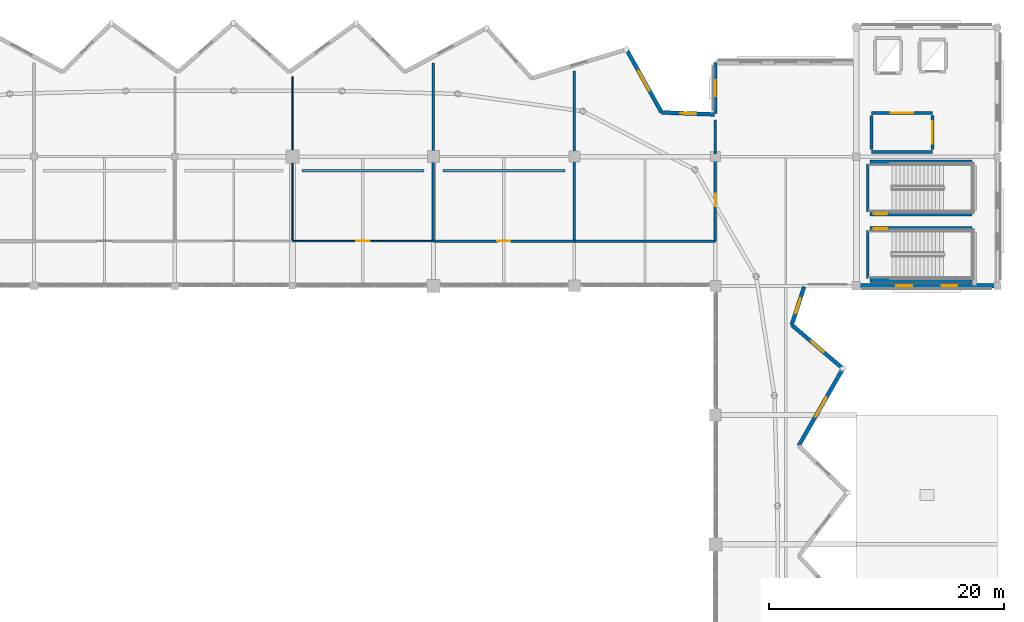
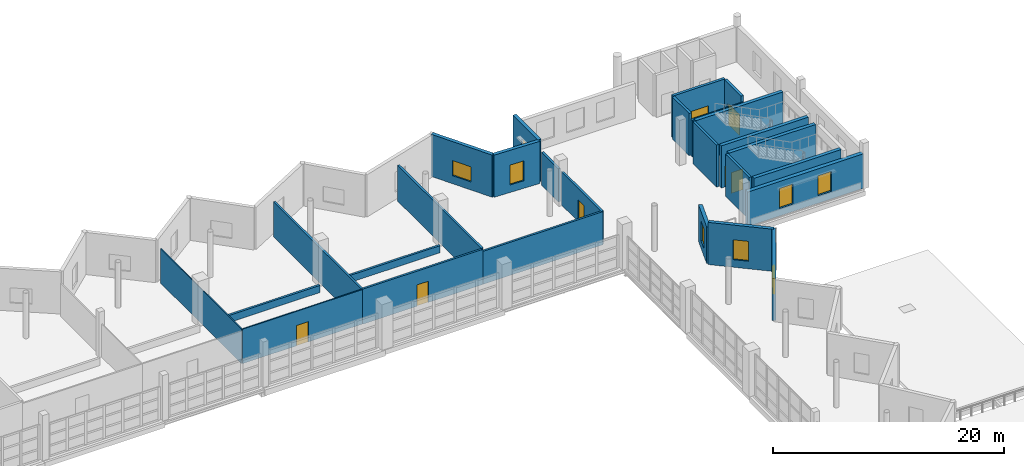
# One storey, part 42 of 53: 27 walls, 8 windows, 7 doors, 15 openings.
"""IFC4 building model written with IfcOpenShell, lengths in metres."""

from ifc_helpers import new_model, si_unit, direction, frame, frame_2d, origin, place, context, subcontext, project, spatial, rectangle, extrude, material, layer, layer_set, type_object, element, fill, save


model = new_model("IFC4")

# Units and contexts
model_context = context("Model", 3, precision=1e-05, world=origin(), true_north=direction((0.0, 1.0)))
body_context = subcontext(model_context, "Body", "Model", "MODEL_VIEW")
ifc_project = project(units=[si_unit("LENGTHUNIT", "METRE"), si_unit("AREAUNIT", "SQUARE_METRE"), si_unit("VOLUMEUNIT", "CUBIC_METRE"), si_unit("PLANEANGLEUNIT", "RADIAN"), si_unit("MASSUNIT", "GRAM", prefix="KILO")], contexts=[model_context])

# Site, building, storey
site_placement = place(None, origin())
site = spatial("IfcSite", under=ifc_project, at=site_placement, CompositionType="ELEMENT")
building_placement = place(site_placement, origin())
building = spatial("IfcBuilding", under=site, at=building_placement, Name="Luwafu Chhajja Arena", CompositionType="ELEMENT")
storey_placement = place(building_placement, frame((0.0, 0.0, 19.5)))
storey = spatial("IfcBuildingStorey", under=building, at=storey_placement, Name="L04", CompositionType="ELEMENT", Elevation=19.5)

# Wall, opening, door
ifc_material_1 = material(Name="Acoustic gypsum and mineral wool partition")
ifc_layer_1 = layer(ifc_material_1, 0.199951171875, Name="Acoustic gypsum and mineral wool partition")
ifc_layer_set_1 = layer_set([ifc_layer_1], Name="Acoustic gypsum and mineral wool partition")
wall_type_1 = type_object("IfcWallType", Name="Acoustic Broadcast Studio Partition 200", PredefinedType="PARTITIONING", material=ifc_layer_set_1)
wall_1_placement = place(storey_placement, frame((116.0, 80.800048828125, 0.0), z_axis=(0.0, 0.0, 1.0), x_axis=(1.0, 0.0, 0.0)))
wall_1 = element("IfcWall", 1, at=wall_1_placement, inside=storey, type_object=wall_type_1, Name="L04 Internal Partition 0321", PredefinedType="PARTITIONING", context=body_context, shape_type="SweptSolid", body=[
    extrude(rectangle(XDim=12.0, YDim=0.199951171875, at=frame_2d((6.0, 0.0))), origin(), (0.0, 0.0, 1.0), 3.70654296875),
])
opening_1_placement = place(wall_1_placement, frame((5.43994140625, 0.0, 0.0)))
opening_1 = element("IfcOpeningElement", 2, at=opening_1_placement, cuts=wall_1, Name="Opening DR-16", PredefinedType="OPENING", context=body_context, shape_type="SweptSolid", body=[
    extrude(rectangle(XDim=1.1201171875, YDim=2.25, at=frame_2d((0.56005859375, 1.125))), frame((0.0, 0.10986328125, 0.0), z_axis=(0.0, -1.0, 0.0), x_axis=(1.0, 0.0, 0.0)), (0.0, 0.0, 1.0), 0.219970703125),
])
ifc_material_2 = material(Name="Acoustic steel-core timber door", Category="steel")
door_type_1 = type_object("IfcDoorType", Name="DR-16", OperationType="NOTDEFINED", PredefinedType="DOOR", material=ifc_material_2)
door_1_placement = place(opening_1_placement, origin())
door_1 = element("IfcDoor", 3, at=door_1_placement, inside=storey, type_object=door_type_1, Name="L04 Interior Door L04-D031", OperationType="SINGLE_SWING_LEFT", OverallHeight=2.25, OverallWidth=1.1201171875, PredefinedType="DOOR", context=body_context, shape_type="SweptSolid", body=[
    extrude(rectangle(XDim=1.1201171875, YDim=2.25, at=frame_2d((0.56005859375, 1.125))), frame((0.0, 0.02490234375, 0.0), z_axis=(0.0, -1.0, 0.0), x_axis=(1.0, 0.0, 0.0)), (0.0, 0.0, 1.0), 0.050048828125),
])
fill(opening_1, door_1)

# Walls
wall_2_placement = place(storey_placement, frame((128.0, 80.800048828125, 0.0), z_axis=(0.0, 0.0, 1.0), x_axis=(1.0, 0.0, 0.0)))
element("IfcWall", 4, at=wall_2_placement, inside=storey, type_object=wall_type_1, Name="L04 Internal Partition 0322", PredefinedType="PARTITIONING", context=body_context, shape_type="SweptSolid", body=[
    extrude(rectangle(XDim=12.0, YDim=0.199951171875, at=frame_2d((6.0, 0.0))), origin(), (0.0, 0.0, 1.0), 3.489990234375),
])
wall_3_placement = place(storey_placement, frame((116.0, 80.800048828125, 0.0), z_axis=(0.0, 0.0, 1.0), x_axis=(0.0, 1.0, 0.0)))
element("IfcWall", 5, at=wall_3_placement, inside=storey, type_object=wall_type_1, Name="L04 Internal Partition 0334", PredefinedType="PARTITIONING", context=body_context, shape_type="SweptSolid", body=[
    extrude(rectangle(XDim=15.184326171875, YDim=0.199951171875, at=frame_2d((7.59228515625, 0.0))), origin(), (0.0, 0.0, 1.0), 3.70654296875),
])
wall_4_placement = place(storey_placement, frame((128.0, 80.800048828125, 0.0), z_axis=(0.0, 0.0, 1.0), x_axis=(0.0, 1.0, 0.0)))
element("IfcWall", 6, at=wall_4_placement, inside=storey, type_object=wall_type_1, Name="L04 Internal Partition 0335", PredefinedType="PARTITIONING", context=body_context, shape_type="SweptSolid", body=[
    extrude(rectangle(XDim=14.48779296875, YDim=0.199951171875, at=frame_2d((7.243896484375, 0.0))), origin(), (0.0, 0.0, 1.0), 3.7900390625),
])
ifc_material_3 = material(Name="Gypsum plasterboard partition")
ifc_layer_2 = layer(ifc_material_3, 0.10009765625, Name="Gypsum plasterboard partition")
ifc_layer_set_2 = layer_set([ifc_layer_2], Name="Gypsum plasterboard partition")
wall_type_2 = type_object("IfcWallType", Name="Drywall Lining Partition 100", PredefinedType="PARTITIONING", material=ifc_layer_set_2)
wall_5_placement = place(storey_placement, frame((104.0, 80.800048828125, 0.0), z_axis=(0.0, 0.0, 1.0), x_axis=(0.0, 1.0, 0.0)))
element("IfcWall", 7, at=wall_5_placement, inside=storey, type_object=wall_type_2, Name="L04 Internal Partition 0333", PredefinedType="PARTITIONING", context=body_context, shape_type="SweptSolid", body=[
    extrude(rectangle(XDim=14.015380859375, YDim=0.10009765625, at=frame_2d((7.0078125, 0.0))), origin(), (0.0, 0.0, 1.0), 3.639892578125),
])

# Wall, opening, door
ifc_material_4 = material(Name="Concrete C40/50", Category="concrete")
ifc_layer_3 = layer(ifc_material_4, 0.260009765625, Name="Concrete C40/50")
ifc_layer_set_3 = layer_set([ifc_layer_3], Name="Concrete C40/50")
wall_type_3 = type_object("IfcWallType", Name="Firefighting Lobby Wall 260", PredefinedType="SOLIDWALL", material=ifc_layer_set_3)
wall_6_placement = place(storey_placement, frame((153.300048828125, 91.699951171875, 0.0), z_axis=(0.0, 0.0, 1.0), x_axis=(1.0, 0.0, 0.0)))
wall_6 = element("IfcWall", 8, at=wall_6_placement, inside=storey, type_object=wall_type_3, Name="L04 Core C4 Firefighting Lobby Wall N", PredefinedType="SOLIDWALL", context=body_context, shape_type="SweptSolid", body=[
    extrude(rectangle(XDim=5.199951171875, YDim=0.260009765625, at=frame_2d((2.60009765625, 0.0))), origin(), (0.0, 0.0, 1.0), 4.4599609375),
])
opening_2_placement = place(wall_6_placement, frame((1.64990234375, 0.0, 0.0)))
opening_2 = element("IfcOpeningElement", 9, at=opening_2_placement, cuts=wall_6, Name="Opening DR-07", PredefinedType="OPENING", context=body_context, shape_type="SweptSolid", body=[
    extrude(rectangle(XDim=1.89990234375, YDim=2.199951171875, at=frame_2d((0.949951171875, 1.10009765625))), frame((0.0, 0.139892578125, 0.0), z_axis=(0.0, -1.0, 0.0), x_axis=(1.0, 0.0, 0.0)), (0.0, 0.0, 1.0), 0.280029296875),
])
ifc_material_5 = material(Name="Fire-rated hardwood and vision panel", Category="wood")
door_type_2 = type_object("IfcDoorType", Name="DR-07", OperationType="DOUBLE_DOOR_SINGLE_SWING", PredefinedType="DOOR", material=ifc_material_5)
door_2_placement = place(opening_2_placement, origin())
door_2 = element("IfcDoor", 10, at=door_2_placement, inside=storey, type_object=door_type_2, Name="L04 Firefighting Lobby C4 Door L04-D015", OperationType="DOUBLE_DOOR_SINGLE_SWING", OverallHeight=2.199951171875, OverallWidth=1.89990234375, PredefinedType="DOOR", context=body_context, shape_type="SweptSolid", body=[
    extrude(rectangle(XDim=1.89990234375, YDim=2.199951171875, at=frame_2d((0.949951171875, 1.10009765625))), frame((0.0, 0.02490234375, 0.0), z_axis=(0.0, -1.0, 0.0), x_axis=(1.0, 0.0, 0.0)), (0.0, 0.0, 1.0), 0.050048828125),
])
fill(opening_2, door_2)

# Walls
wall_7_placement = place(storey_placement, frame((153.300048828125, 88.39990234375, 0.0), z_axis=(0.0, 0.0, 1.0), x_axis=(1.0, 0.0, 0.0)))
element("IfcWall", 11, at=wall_7_placement, inside=storey, type_object=wall_type_3, Name="L04 Core C4 Firefighting Lobby Wall S", PredefinedType="SOLIDWALL", context=body_context, shape_type="SweptSolid", body=[
    extrude(rectangle(XDim=5.199951171875, YDim=0.260009765625, at=frame_2d((2.60009765625, 0.0))), origin(), (0.0, 0.0, 1.0), 3.889892578125),
])
wall_8_placement = place(storey_placement, frame((153.300048828125, 88.60009765625, 0.0), z_axis=(0.0, 0.0, 1.0), x_axis=(0.0, 1.0, 0.0)))
element("IfcWall", 12, at=wall_8_placement, inside=storey, type_object=wall_type_3, Name="L04 Core C4 Firefighting Lobby Wall W", PredefinedType="SOLIDWALL", context=body_context, shape_type="SweptSolid", body=[
    extrude(rectangle(XDim=2.89990234375, YDim=0.260009765625, at=frame_2d((1.449951171875, 0.0))), origin(), (0.0, 0.0, 1.0), 4.4599609375),
])

# Wall, opening, door
wall_9_placement = place(storey_placement, frame((158.5, 88.60009765625, 0.0), z_axis=(0.0, 0.0, 1.0), x_axis=(0.0, 1.0, 0.0)))
wall_9 = element("IfcWall", 13, at=wall_9_placement, inside=storey, type_object=wall_type_3, Name="L04 Core C4 Firefighting Lobby Wall E", PredefinedType="SOLIDWALL", context=body_context, shape_type="SweptSolid", body=[
    extrude(rectangle(XDim=2.89990234375, YDim=0.260009765625, at=frame_2d((1.449951171875, 0.0))), origin(), (0.0, 0.0, 1.0), 4.4599609375),
])
opening_3_placement = place(wall_9_placement, frame((0.5, 0.0, 0.0)))
opening_3 = element("IfcOpeningElement", 14, at=opening_3_placement, cuts=wall_9, Name="Opening DR-07", PredefinedType="OPENING", context=body_context, shape_type="SweptSolid", body=[
    extrude(rectangle(XDim=1.89990234375, YDim=2.199951171875, at=frame_2d((0.949951171875, 1.10009765625))), frame((0.0, 0.139892578125, 0.0), z_axis=(0.0, -1.0, 0.0), x_axis=(1.0, 0.0, 0.0)), (0.0, 0.0, 1.0), 0.280029296875),
])
door_3_placement = place(opening_3_placement, origin())
door_3 = element("IfcDoor", 15, at=door_3_placement, inside=storey, type_object=door_type_2, Name="L04 Firefighting Lobby C4 Door L04-D016", OperationType="DOUBLE_DOOR_SINGLE_SWING", OverallHeight=2.199951171875, OverallWidth=1.89990234375, PredefinedType="DOOR", context=body_context, shape_type="SweptSolid", body=[
    extrude(rectangle(XDim=1.89990234375, YDim=2.199951171875, at=frame_2d((0.949951171875, 1.10009765625))), frame((0.0, 0.02490234375, 0.0), z_axis=(0.0, -1.0, 0.0), x_axis=(1.0, 0.0, 0.0)), (0.0, 0.0, 1.0), 0.050048828125),
])
fill(opening_3, door_3)

ifc_material_6 = material(Name="Acoustic metal-stud gypsum board")
ifc_layer_4 = layer(ifc_material_6, 0.1201171875, Name="Acoustic metal-stud gypsum board")
ifc_layer_set_4 = layer_set([ifc_layer_4], Name="Acoustic metal-stud gypsum board")
wall_type_4 = type_object("IfcWallType", Name="Internal Room Partition 120", PredefinedType="PARTITIONING", material=ifc_layer_set_4)
wall_10_placement = place(storey_placement, frame((104.0, 80.800048828125, 0.0), z_axis=(0.0, 0.0, 1.0), x_axis=(1.0, 0.0, 0.0)))
wall_10 = element("IfcWall", 16, at=wall_10_placement, inside=storey, type_object=wall_type_4, Name="L04 Internal Partition 0320", PredefinedType="PARTITIONING", context=body_context, shape_type="SweptSolid", body=[
    extrude(rectangle(XDim=12.0, YDim=0.1201171875, at=frame_2d((6.0, 0.0))), origin(), (0.0, 0.0, 1.0), 3.639892578125),
])
opening_4_placement = place(wall_10_placement, frame((5.409912109375, 0.0, 0.0)))
opening_4 = element("IfcOpeningElement", 17, at=opening_4_placement, cuts=wall_10, Name="Opening DR-21", PredefinedType="OPENING", context=body_context, shape_type="SweptSolid", body=[
    extrude(rectangle(XDim=1.179931640625, YDim=2.14990234375, at=frame_2d((0.58984375, 1.074951171875))), frame((0.0, 0.070068359375, 0.0), z_axis=(0.0, -1.0, 0.0), x_axis=(1.0, 0.0, 0.0)), (0.0, 0.0, 1.0), 0.14013671875),
])
ifc_material_7 = material(Name="Hygienic laminate single leaf")
door_type_3 = type_object("IfcDoorType", Name="DR-21", OperationType="NOTDEFINED", PredefinedType="DOOR", material=ifc_material_7)
door_4_placement = place(opening_4_placement, origin())
door_4 = element("IfcDoor", 18, at=door_4_placement, inside=storey, type_object=door_type_3, Name="L04 Interior Door L04-D030", OperationType="SINGLE_SWING_RIGHT", OverallHeight=2.14990234375, OverallWidth=1.179931640625, PredefinedType="DOOR", context=body_context, shape_type="SweptSolid", body=[
    extrude(rectangle(XDim=1.179931640625, YDim=2.14990234375, at=frame_2d((0.58984375, 1.074951171875))), frame((0.0, 0.02490234375, 0.0), z_axis=(0.0, -1.0, 0.0), x_axis=(1.0, 0.0, 0.0)), (0.0, 0.0, 1.0), 0.050048828125),
])
fill(opening_4, door_4)

# Wall, opening, window
ifc_material_8 = material(Name="Precast concrete C40/50", Category="concrete")
ifc_layer_5 = layer(ifc_material_8, 0.340087890625, Name="Precast concrete C40/50")
ifc_layer_set_5 = layer_set([ifc_layer_5], Name="Precast concrete C40/50")
wall_type_5 = type_object("IfcWallType", Name="Pleated Bowl V-Fold Wall 340", PredefinedType="USERDEFINED", material=ifc_layer_set_5)
wall_11_placement = place(storey_placement, frame((147.10302734375, 63.394287109375, 0.0), z_axis=(0.0, 0.0, 1.0), x_axis=(0.497195545865, 0.86763851296, 0.0)))
wall_11 = element("IfcWall", 19, at=wall_11_placement, inside=storey, type_object=wall_type_5, Name="L04 Pleated Bowl V-Fold Wall 04", ObjectType="PLEATED FACADE WALL", PredefinedType="USERDEFINED", context=body_context, shape_type="SweptSolid", body=[
    extrude(rectangle(XDim=7.56201171875, YDim=0.340087890625, at=frame_2d((3.781005859375, 0.0))), origin(), (0.0, 0.0, 1.0), 4.455078125),
])
opening_5_placement = place(wall_11_placement, frame((2.8310546875, 0.0, 0.85009765625)))
opening_5 = element("IfcOpeningElement", 20, at=opening_5_placement, cuts=wall_11, Name="Opening WN-15", PredefinedType="OPENING", context=body_context, shape_type="SweptSolid", body=[
    extrude(rectangle(XDim=1.89990234375, YDim=1.60009765625, at=frame_2d((0.949951171875, 0.800048828125))), frame((0.0, 0.179931640625, 0.0), z_axis=(0.0, -1.0, 0.0), x_axis=(1.0, 0.0, 0.0)), (0.0, 0.0, 1.0), 0.360107421875),
])
ifc_material_9 = material(Name="Solar-control laminated glass", Category="glass")
window_type_1 = type_object("IfcWindowType", Name="Pleated Drum Inward-Fold Clerestory 1900x1600", PartitioningType="SINGLE_PANEL", PredefinedType="WINDOW", material=ifc_material_9)
window_1_placement = place(opening_5_placement, origin())
window_1 = element("IfcWindow", 21, at=window_1_placement, inside=storey, type_object=window_type_1, Name="L04 Pleated Bowl Lancet Window 081", OverallHeight=1.60009765625, OverallWidth=1.89990234375, PartitioningType="SINGLE_PANEL", PredefinedType="WINDOW", context=body_context, shape_type="SweptSolid", body=[
    extrude(rectangle(XDim=1.89990234375, YDim=1.60009765625, at=frame_2d((0.949951171875, 0.800048828125))), frame((0.0, 0.030029296875, 0.0), z_axis=(0.0, -1.0, 0.0), x_axis=(1.0, 0.0, 0.0)), (0.0, 0.0, 1.0), 0.06005859375),
])
fill(opening_5, window_1)

wall_12_placement = place(storey_placement, frame((150.86279296875, 69.955322265625, 0.0), z_axis=(0.0, 0.0, 1.0), x_axis=(-0.760445983194, 0.649401190824, 0.0)))
wall_12 = element("IfcWall", 22, at=wall_12_placement, inside=storey, type_object=wall_type_5, Name="L04 Pleated Bowl V-Fold Wall 05", ObjectType="PLEATED FACADE WALL", PredefinedType="USERDEFINED", context=body_context, shape_type="SweptSolid", body=[
    extrude(rectangle(XDim=5.731689453125, YDim=0.340087890625, at=frame_2d((2.86572265625, 0.0))), origin(), (0.0, 0.0, 1.0), 4.455078125),
])
opening_6_placement = place(wall_12_placement, frame((2.19091796875, 0.0, 0.800048828125)))
opening_6 = element("IfcOpeningElement", 23, at=opening_6_placement, cuts=wall_12, Name="Opening WN-17", PredefinedType="OPENING", context=body_context, shape_type="SweptSolid", body=[
    extrude(rectangle(XDim=1.35009765625, YDim=2.10009765625, at=frame_2d((0.675048828125, 1.050048828125))), frame((0.0, 0.179931640625, 0.0), z_axis=(0.0, -1.0, 0.0), x_axis=(1.0, 0.0, 0.0)), (0.0, 0.0, 1.0), 0.360107421875),
])
window_type_2 = type_object("IfcWindowType", Name="Exhibition Mezzanine Lancet Window 1350x2100", PartitioningType="SINGLE_PANEL", PredefinedType="WINDOW", material=ifc_material_9)
window_2_placement = place(opening_6_placement, origin())
window_2 = element("IfcWindow", 24, at=window_2_placement, inside=storey, type_object=window_type_2, Name="L04 Pleated Bowl Lancet Window 082", OverallHeight=2.10009765625, OverallWidth=1.35009765625, PartitioningType="SINGLE_PANEL", PredefinedType="WINDOW", context=body_context, shape_type="SweptSolid", body=[
    extrude(rectangle(XDim=1.35009765625, YDim=2.10009765625, at=frame_2d((0.675048828125, 1.050048828125))), frame((0.0, 0.030029296875, 0.0), z_axis=(0.0, -1.0, 0.0), x_axis=(1.0, 0.0, 0.0)), (0.0, 0.0, 1.0), 0.06005859375),
])
fill(opening_6, window_2)

wall_13_placement = place(storey_placement, frame((146.504150390625, 73.677490234375, 0.0), z_axis=(0.0, 0.0, 1.0), x_axis=(0.310230166493, 0.950661476972, 0.0)))
wall_13 = element("IfcWall", 25, at=wall_13_placement, inside=storey, type_object=wall_type_5, Name="L04 Pleated Bowl V-Fold Wall 06", ObjectType="PLEATED FACADE WALL", PredefinedType="USERDEFINED", context=body_context, shape_type="SweptSolid", body=[
    extrude(rectangle(XDim=3.41064453125, YDim=0.340087890625, at=frame_2d((1.705322265625, 0.0))), origin(), (0.0, 0.0, 1.0), 3.889892578125),
])
opening_7_placement = place(wall_13_placement, frame((1.0302734375, 0.0, 0.800048828125)))
opening_7 = element("IfcOpeningElement", 26, at=opening_7_placement, cuts=wall_13, Name="Opening WN-17", PredefinedType="OPENING", context=body_context, shape_type="SweptSolid", body=[
    extrude(rectangle(XDim=1.35009765625, YDim=2.10009765625, at=frame_2d((0.675048828125, 1.050048828125))), frame((0.0, 0.179931640625, 0.0), z_axis=(0.0, -1.0, 0.0), x_axis=(1.0, 0.0, 0.0)), (0.0, 0.0, 1.0), 0.360107421875),
])
window_3_placement = place(opening_7_placement, origin())
window_3 = element("IfcWindow", 27, at=window_3_placement, inside=storey, type_object=window_type_2, Name="L04 Pleated Bowl Lancet Window 083", OverallHeight=2.10009765625, OverallWidth=1.35009765625, PartitioningType="SINGLE_PANEL", PredefinedType="WINDOW", context=body_context, shape_type="SweptSolid", body=[
    extrude(rectangle(XDim=1.35009765625, YDim=2.10009765625, at=frame_2d((0.675048828125, 1.050048828125))), frame((0.0, 0.030029296875, 0.0), z_axis=(0.0, -1.0, 0.0), x_axis=(1.0, 0.0, 0.0)), (0.0, 0.0, 1.0), 0.06005859375),
])
fill(opening_7, window_3)

wall_14_placement = place(storey_placement, frame((139.919921875, 91.594482421875, 0.0), z_axis=(0.0, 0.0, 1.0), x_axis=(-0.999296191983, 0.037511607381, 0.0)))
wall_14 = element("IfcWall", 28, at=wall_14_placement, inside=storey, type_object=wall_type_5, Name="L04 Pleated Bowl V-Fold Wall 09", ObjectType="PLEATED FACADE WALL", PredefinedType="USERDEFINED", context=body_context, shape_type="SweptSolid", body=[
    extrude(rectangle(XDim=4.497314453125, YDim=0.340087890625, at=frame_2d((2.24853515625, 0.0))), origin(), (0.0, 0.0, 1.0), 4.455078125),
])
opening_8_placement = place(wall_14_placement, frame((1.573486328125, 0.0, 0.800048828125)))
opening_8 = element("IfcOpeningElement", 29, at=opening_8_placement, cuts=wall_14, Name="Opening WN-17", PredefinedType="OPENING", context=body_context, shape_type="SweptSolid", body=[
    extrude(rectangle(XDim=1.35009765625, YDim=2.10009765625, at=frame_2d((0.675048828125, 1.050048828125))), frame((0.0, 0.179931640625, 0.0), z_axis=(0.0, -1.0, 0.0), x_axis=(1.0, 0.0, 0.0)), (0.0, 0.0, 1.0), 0.360107421875),
])
window_4_placement = place(opening_8_placement, origin())
window_4 = element("IfcWindow", 30, at=window_4_placement, inside=storey, type_object=window_type_2, Name="L04 Pleated Bowl Lancet Window 084", OverallHeight=2.10009765625, OverallWidth=1.35009765625, PartitioningType="SINGLE_PANEL", PredefinedType="WINDOW", context=body_context, shape_type="SweptSolid", body=[
    extrude(rectangle(XDim=1.35009765625, YDim=2.10009765625, at=frame_2d((0.675048828125, 1.050048828125))), frame((0.0, 0.030029296875, 0.0), z_axis=(0.0, -1.0, 0.0), x_axis=(1.0, 0.0, 0.0)), (0.0, 0.0, 1.0), 0.06005859375),
])
fill(opening_8, window_4)

wall_15_placement = place(storey_placement, frame((135.42578125, 91.76318359375, 0.0), z_axis=(0.0, 0.0, 1.0), x_axis=(-0.487306352228, 0.87323108, 0.0)))
wall_15 = element("IfcWall", 31, at=wall_15_placement, inside=storey, type_object=wall_type_5, Name="L04 Pleated Bowl V-Fold Wall 10", ObjectType="PLEATED FACADE WALL", PredefinedType="USERDEFINED", context=body_context, shape_type="SweptSolid", body=[
    extrude(rectangle(XDim=6.15283203125, YDim=0.340087890625, at=frame_2d((3.076416015625, 0.0))), origin(), (0.0, 0.0, 1.0), 4.455078125),
])
opening_9_placement = place(wall_15_placement, frame((2.12646484375, 0.0, 0.85009765625)))
opening_9 = element("IfcOpeningElement", 32, at=opening_9_placement, cuts=wall_15, Name="Opening WN-15", PredefinedType="OPENING", context=body_context, shape_type="SweptSolid", body=[
    extrude(rectangle(XDim=1.89990234375, YDim=1.60009765625, at=frame_2d((0.949951171875, 0.800048828125))), frame((0.0, 0.179931640625, 0.0), z_axis=(0.0, -1.0, 0.0), x_axis=(1.0, 0.0, 0.0)), (0.0, 0.0, 1.0), 0.360107421875),
])
window_5_placement = place(opening_9_placement, origin())
window_5 = element("IfcWindow", 33, at=window_5_placement, inside=storey, type_object=window_type_1, Name="L04 Pleated Bowl Lancet Window 085", OverallHeight=1.60009765625, OverallWidth=1.89990234375, PartitioningType="SINGLE_PANEL", PredefinedType="WINDOW", context=body_context, shape_type="SweptSolid", body=[
    extrude(rectangle(XDim=1.89990234375, YDim=1.60009765625, at=frame_2d((0.949951171875, 0.800048828125))), frame((0.0, 0.030029296875, 0.0), z_axis=(0.0, -1.0, 0.0), x_axis=(1.0, 0.0, 0.0)), (0.0, 0.0, 1.0), 0.06005859375),
])
fill(opening_9, window_5)

# Wall, opening, door
ifc_material_10 = material(Name="Concrete blockwork masonry", Category="masonry")
ifc_layer_6 = layer(ifc_material_10, 0.219970703125, Name="Concrete blockwork masonry")
ifc_layer_set_6 = layer_set([ifc_layer_6], Name="Concrete blockwork masonry")
wall_type_6 = type_object("IfcWallType", Name="Protected Corridor Partition 220", PredefinedType="PARTITIONING", material=ifc_layer_set_6)
wall_16_placement = place(storey_placement, frame((140.0, 80.800048828125, 0.0), z_axis=(0.0, 0.0, 1.0), x_axis=(0.0, 1.0, 0.0)))
wall_16 = element("IfcWall", 34, at=wall_16_placement, inside=storey, type_object=wall_type_6, Name="L04 Internal Partition 0306", PredefinedType="PARTITIONING", context=body_context, shape_type="SweptSolid", body=[
    extrude(rectangle(XDim=6.97998046875, YDim=0.219970703125, at=frame_2d((3.489990234375, 0.0))), origin(), (0.0, 0.0, 1.0), 3.489990234375),
])
opening_10_placement = place(wall_16_placement, frame((2.9599609375, 0.0, 0.0)))
opening_10 = element("IfcOpeningElement", 35, at=opening_10_placement, cuts=wall_16, Name="Opening DR-14", PredefinedType="OPENING", context=body_context, shape_type="SweptSolid", body=[
    extrude(rectangle(XDim=1.06005859375, YDim=2.300048828125, at=frame_2d((0.530029296875, 1.14990234375))), frame((0.0, 0.119873046875, 0.0), z_axis=(0.0, -1.0, 0.0), x_axis=(1.0, 0.0, 0.0)), (0.0, 0.0, 1.0), 0.239990234375),
])
ifc_material_11 = material(Name="Veneered hardwood acoustic leaf", Category="wood")
door_type_4 = type_object("IfcDoorType", Name="DR-14", OperationType="NOTDEFINED", PredefinedType="DOOR", material=ifc_material_11)
door_5_placement = place(opening_10_placement, origin())
door_5 = element("IfcDoor", 36, at=door_5_placement, inside=storey, type_object=door_type_4, Name="L04 Interior Door L04-D020", OperationType="SINGLE_SWING_LEFT", OverallHeight=2.300048828125, OverallWidth=1.06005859375, PredefinedType="DOOR", context=body_context, shape_type="SweptSolid", body=[
    extrude(rectangle(XDim=1.06005859375, YDim=2.300048828125, at=frame_2d((0.530029296875, 1.14990234375))), frame((0.0, 0.02490234375, 0.0), z_axis=(0.0, -1.0, 0.0), x_axis=(1.0, 0.0, 0.0)), (0.0, 0.0, 1.0), 0.050048828125),
])
fill(opening_10, door_5)

# Walls
wall_17_placement = place(storey_placement, frame((140.0, 88.219970703125, 0.0), z_axis=(0.0, 0.0, 1.0), x_axis=(0.0, 1.0, 0.0)))
element("IfcWall", 37, at=wall_17_placement, inside=storey, type_object=wall_type_6, Name="L04 Internal Partition 0307", PredefinedType="PARTITIONING", context=body_context, shape_type="SweptSolid", body=[
    extrude(rectangle(XDim=2.892333984375, YDim=0.219970703125, at=frame_2d((1.4462890625, 0.0))), origin(), (0.0, 0.0, 1.0), 3.489990234375),
])
ifc_layer_7 = layer(ifc_material_4, 0.35009765625, Name="Concrete C40/50")
ifc_layer_set_7 = layer_set([ifc_layer_7], Name="Concrete C40/50")
wall_type_7 = type_object("IfcWallType", Name="RC Core Shear Wall 350", PredefinedType="SOLIDWALL", material=ifc_layer_set_7)
wall_18_placement = place(storey_placement, frame((153.14990234375, 77.47802734375, 0.0), z_axis=(0.0, 0.0, 1.0), x_axis=(1.0, 0.0, 0.0)))
element("IfcWall", 38, at=wall_18_placement, inside=storey, type_object=wall_type_7, Name="L04 Stair ST-07 Core Shear Wall S", PredefinedType="SOLIDWALL", context=body_context, shape_type="SweptSolid", body=[
    extrude(rectangle(XDim=8.7001953125, YDim=0.35009765625, at=frame_2d((4.35009765625, 0.0))), origin(), (0.0, 0.0, 1.0), 4.4599609375),
])

# Wall, opening, door
wall_19_placement = place(storey_placement, frame((153.14990234375, 81.862060546875, 0.0), z_axis=(0.0, 0.0, 1.0), x_axis=(1.0, 0.0, 0.0)))
wall_19 = element("IfcWall", 39, at=wall_19_placement, inside=storey, type_object=wall_type_7, Name="L04 Stair ST-07 Core Shear Wall N", PredefinedType="SOLIDWALL", context=body_context, shape_type="SweptSolid", body=[
    extrude(rectangle(XDim=8.7001953125, YDim=0.35009765625, at=frame_2d((4.35009765625, 0.0))), origin(), (0.0, 0.0, 1.0), 4.4599609375),
])
opening_11_placement = place(wall_19_placement, frame((0.35009765625, 0.0, 0.0)))
opening_11 = element("IfcOpeningElement", 40, at=opening_11_placement, cuts=wall_19, Name="Opening DR-06", PredefinedType="OPENING", context=body_context, shape_type="SweptSolid", body=[
    extrude(rectangle(XDim=1.14990234375, YDim=2.199951171875, at=frame_2d((0.574951171875, 1.10009765625))), frame((0.0, 0.18505859375, 0.0), z_axis=(0.0, -1.0, 0.0), x_axis=(1.0, 0.0, 0.0)), (0.0, 0.0, 1.0), 0.3701171875),
])
ifc_material_12 = material(Name="Fire-rated hardwood and steel core", Category="steel")
door_type_5 = type_object("IfcDoorType", Name="DR-06", OperationType="NOTDEFINED", PredefinedType="DOOR", material=ifc_material_12)
door_6_placement = place(opening_11_placement, origin())
door_6 = element("IfcDoor", 41, at=door_6_placement, inside=storey, type_object=door_type_5, Name="L04 Escape Stair ST-07 Fire Door L04-D013", OperationType="SINGLE_SWING_RIGHT", OverallHeight=2.199951171875, OverallWidth=1.14990234375, PredefinedType="DOOR", context=body_context, shape_type="SweptSolid", body=[
    extrude(rectangle(XDim=1.14990234375, YDim=2.199951171875, at=frame_2d((0.574951171875, 1.10009765625))), frame((0.0, 0.02490234375, 0.0), z_axis=(0.0, -1.0, 0.0), x_axis=(1.0, 0.0, 0.0)), (0.0, 0.0, 1.0), 0.050048828125),
])
fill(opening_11, door_6)

wall_20_placement = place(storey_placement, frame((153.14990234375, 83.137939453125, 0.0), z_axis=(0.0, 0.0, 1.0), x_axis=(1.0, 0.0, 0.0)))
wall_20 = element("IfcWall", 42, at=wall_20_placement, inside=storey, type_object=wall_type_7, Name="L04 Stair ST-08 Core Shear Wall S", PredefinedType="SOLIDWALL", context=body_context, shape_type="SweptSolid", body=[
    extrude(rectangle(XDim=8.7001953125, YDim=0.35009765625, at=frame_2d((4.35009765625, 0.0))), origin(), (0.0, 0.0, 1.0), 4.4599609375),
])
opening_12_placement = place(wall_20_placement, frame((0.35009765625, 0.0, 0.0)))
opening_12 = element("IfcOpeningElement", 43, at=opening_12_placement, cuts=wall_20, Name="Opening DR-06", PredefinedType="OPENING", context=body_context, shape_type="SweptSolid", body=[
    extrude(rectangle(XDim=1.14990234375, YDim=2.199951171875, at=frame_2d((0.574951171875, 1.10009765625))), frame((0.0, 0.18505859375, 0.0), z_axis=(0.0, -1.0, 0.0), x_axis=(1.0, 0.0, 0.0)), (0.0, 0.0, 1.0), 0.3701171875),
])
door_7_placement = place(opening_12_placement, origin())
door_7 = element("IfcDoor", 44, at=door_7_placement, inside=storey, type_object=door_type_5, Name="L04 Escape Stair ST-08 Fire Door L04-D014", OperationType="SINGLE_SWING_LEFT", OverallHeight=2.199951171875, OverallWidth=1.14990234375, PredefinedType="DOOR", context=body_context, shape_type="SweptSolid", body=[
    extrude(rectangle(XDim=1.14990234375, YDim=2.199951171875, at=frame_2d((0.574951171875, 1.10009765625))), frame((0.0, 0.02490234375, 0.0), z_axis=(0.0, -1.0, 0.0), x_axis=(1.0, 0.0, 0.0)), (0.0, 0.0, 1.0), 0.050048828125),
])
fill(opening_12, door_7)

# Wall
wall_21_placement = place(storey_placement, frame((153.14990234375, 87.52197265625, 0.0), z_axis=(0.0, 0.0, 1.0), x_axis=(1.0, 0.0, 0.0)))
element("IfcWall", 45, at=wall_21_placement, inside=storey, type_object=wall_type_7, Name="L04 Stair ST-08 Core Shear Wall N", PredefinedType="SOLIDWALL", context=body_context, shape_type="SweptSolid", body=[
    extrude(rectangle(XDim=8.7001953125, YDim=0.35009765625, at=frame_2d((4.35009765625, 0.0))), origin(), (0.0, 0.0, 1.0), 4.4599609375),
])

# Wall, openings, windows
ifc_layer_8 = layer(ifc_material_4, 0.39990234375, Name="Concrete C40/50")
ifc_layer_set_8 = layer_set([ifc_layer_8], Name="Concrete C40/50")
wall_type_8 = type_object("IfcWallType", Name="RC Core Shear Wall 400", PredefinedType="SOLIDWALL", material=ifc_layer_set_8)
wall_22_placement = place(storey_placement, frame((152.219970703125, 77.0, 0.0), z_axis=(0.0, 0.0, 1.0), x_axis=(1.0, 0.0, 0.0)))
wall_22 = element("IfcWall", 46, at=wall_22_placement, inside=storey, type_object=wall_type_8, Name="L04 Exterior Wall WEX-L04-228", PredefinedType="SOLIDWALL", context=body_context, shape_type="SweptSolid", body=[
    extrude(rectangle(XDim=11.56005859375, YDim=0.39990234375, at=frame_2d((5.780029296875, 0.0))), origin(), (0.0, 0.0, 1.0), 3.639892578125),
])
opening_13_placement = place(wall_22_placement, frame((3.17822265625, 0.0, 0.800048828125)))
opening_13 = element("IfcOpeningElement", 47, at=opening_13_placement, cuts=wall_22, Name="Opening WN-17", PredefinedType="OPENING", context=body_context, shape_type="SweptSolid", body=[
    extrude(rectangle(XDim=1.35009765625, YDim=2.10009765625, at=frame_2d((0.675048828125, 1.050048828125))), frame((0.0, 0.2099609375, 0.0), z_axis=(0.0, -1.0, 0.0), x_axis=(1.0, 0.0, 0.0)), (0.0, 0.0, 1.0), 0.419921875),
])
opening_14_placement = place(wall_22_placement, frame((7.03173828125, 0.0, 0.800048828125)))
opening_14 = element("IfcOpeningElement", 48, at=opening_14_placement, cuts=wall_22, Name="Opening WN-17", PredefinedType="OPENING", context=body_context, shape_type="SweptSolid", body=[
    extrude(rectangle(XDim=1.35009765625, YDim=2.10009765625, at=frame_2d((0.675048828125, 1.050048828125))), frame((0.0, 0.2099609375, 0.0), z_axis=(0.0, -1.0, 0.0), x_axis=(1.0, 0.0, 0.0)), (0.0, 0.0, 1.0), 0.419921875),
])
window_6_placement = place(opening_13_placement, origin())
window_6 = element("IfcWindow", 49, at=window_6_placement, inside=storey, type_object=window_type_2, Name="L04 Facade Window 202", OverallHeight=2.10009765625, OverallWidth=1.35009765625, PartitioningType="SINGLE_PANEL", PredefinedType="WINDOW", context=body_context, shape_type="SweptSolid", body=[
    extrude(rectangle(XDim=1.35009765625, YDim=2.10009765625, at=frame_2d((0.675048828125, 1.050048828125))), frame((0.0, 0.030029296875, 0.0), z_axis=(0.0, -1.0, 0.0), x_axis=(1.0, 0.0, 0.0)), (0.0, 0.0, 1.0), 0.06005859375),
])
fill(opening_13, window_6)
window_7_placement = place(opening_14_placement, origin())
window_7 = element("IfcWindow", 50, at=window_7_placement, inside=storey, type_object=window_type_2, Name="L04 Facade Window 203", OverallHeight=2.10009765625, OverallWidth=1.35009765625, PartitioningType="SINGLE_PANEL", PredefinedType="WINDOW", context=body_context, shape_type="SweptSolid", body=[
    extrude(rectangle(XDim=1.35009765625, YDim=2.10009765625, at=frame_2d((0.675048828125, 1.050048828125))), frame((0.0, 0.030029296875, 0.0), z_axis=(0.0, -1.0, 0.0), x_axis=(1.0, 0.0, 0.0)), (0.0, 0.0, 1.0), 0.06005859375),
])
fill(opening_14, window_7)

# Wall, opening, window
ifc_material_13 = material(Name="Concrete C35/45", Category="concrete")
ifc_layer_9 = layer(ifc_material_13, 0.320068359375, Name="Concrete C35/45")
ifc_layer_set_9 = layer_set([ifc_layer_9], Name="Concrete C35/45")
wall_type_9 = type_object("IfcWallType", Name="Sandstone Backed Exterior Wall 320", PredefinedType="SOLIDWALL", material=ifc_layer_set_9)
wall_23_placement = place(storey_placement, frame((140.0, 91.651611328125, 0.0), z_axis=(0.0, 0.0, 1.0), x_axis=(0.0, 1.0, 0.0)))
wall_23 = element("IfcWall", 51, at=wall_23_placement, inside=storey, type_object=wall_type_9, Name="L04 Exterior Wall WEX-L04-223", PredefinedType="SOLIDWALL", context=body_context, shape_type="SweptSolid", body=[
    extrude(rectangle(XDim=4.348388671875, YDim=0.320068359375, at=frame_2d((2.17431640625, 0.0))), origin(), (0.0, 0.0, 1.0), 4.465087890625),
])
opening_15_placement = place(wall_23_placement, frame((1.4990234375, 0.0, 0.800048828125)))
opening_15 = element("IfcOpeningElement", 52, at=opening_15_placement, cuts=wall_23, Name="Opening WN-17", PredefinedType="OPENING", context=body_context, shape_type="SweptSolid", body=[
    extrude(rectangle(XDim=1.35009765625, YDim=2.10009765625, at=frame_2d((0.675048828125, 1.050048828125))), frame((0.0, 0.169921875, 0.0), z_axis=(0.0, -1.0, 0.0), x_axis=(1.0, 0.0, 0.0)), (0.0, 0.0, 1.0), 0.340087890625),
])
window_8_placement = place(opening_15_placement, origin())
window_8 = element("IfcWindow", 53, at=window_8_placement, inside=storey, type_object=window_type_2, Name="L04 Facade Window 193", OverallHeight=2.10009765625, OverallWidth=1.35009765625, PartitioningType="SINGLE_PANEL", PredefinedType="WINDOW", context=body_context, shape_type="SweptSolid", body=[
    extrude(rectangle(XDim=1.35009765625, YDim=2.10009765625, at=frame_2d((0.675048828125, 1.050048828125))), frame((0.0, 0.030029296875, 0.0), z_axis=(0.0, -1.0, 0.0), x_axis=(1.0, 0.0, 0.0)), (0.0, 0.0, 1.0), 0.06005859375),
])
fill(opening_15, window_8)

# Walls
ifc_layer_10 = layer(ifc_material_13, 0.22998046875, Name="Concrete C35/45")
ifc_layer_set_10 = layer_set([ifc_layer_10], Name="Concrete C35/45")
wall_type_10 = type_object("IfcWallType", Name="Stair Enclosure Wall 230", PredefinedType="SOLIDWALL", material=ifc_layer_set_10)
for number, where, z_axis, x_axis, name in (
    (54, (152.9599609375, 77.6298828125, 0.0), (0.0, 0.0, 1.0), (0.0, 1.0, 0.0), "L04 Stair ST-07 Enclosure Wall W"),
    (55, (152.9599609375, 83.2900390625, 0.0), (0.0, 0.0, 1.0), (0.0, 1.0, 0.0), "L04 Stair ST-08 Enclosure Wall W"),
):
    element("IfcWall", number, at=place(storey_placement, frame(where, z_axis=z_axis, x_axis=x_axis)), inside=storey, type_object=wall_type_10, Name=name, PredefinedType="SOLIDWALL", context=body_context, shape_type="SweptSolid", body=[
        extrude(rectangle(XDim=4.080078125, YDim=0.22998046875, at=frame_2d((2.0400390625, 0.0))), origin(), (0.0, 0.0, 1.0), 4.4599609375),
    ])
ifc_layer_11 = layer(ifc_material_8, 0.2099609375, Name="Precast concrete C40/50")
ifc_layer_set_11 = layer_set([ifc_layer_11], Name="Precast concrete C40/50")
wall_type_11 = type_object("IfcWallType", Name="Terrace Upstand Parapet 210", PredefinedType="PARAPET", material=ifc_layer_set_11)
for number, where, z_axis, x_axis, name in (
    (56, (104.800048828125, 86.800048828125, 0.0), (0.0, 0.0, 1.0), (1.0, 0.0, 0.0), "L04 Bowl North Gallery Upstand 5"),
    (57, (116.800048828125, 86.800048828125, 0.0), (0.0, 0.0, 1.0), (1.0, 0.0, 0.0), "L04 Bowl North Gallery Upstand 6"),
):
    element("IfcWall", number, at=place(storey_placement, frame(where, z_axis=z_axis, x_axis=x_axis)), inside=storey, type_object=wall_type_11, Name=name, PredefinedType="PARAPET", context=body_context, shape_type="SweptSolid", body=[
        extrude(rectangle(XDim=10.39990234375, YDim=0.2099609375, at=frame_2d((5.199951171875, 0.0))), origin(), (0.0, 0.0, 1.0), 0.75),
    ])

save(model, "model.ifc")
